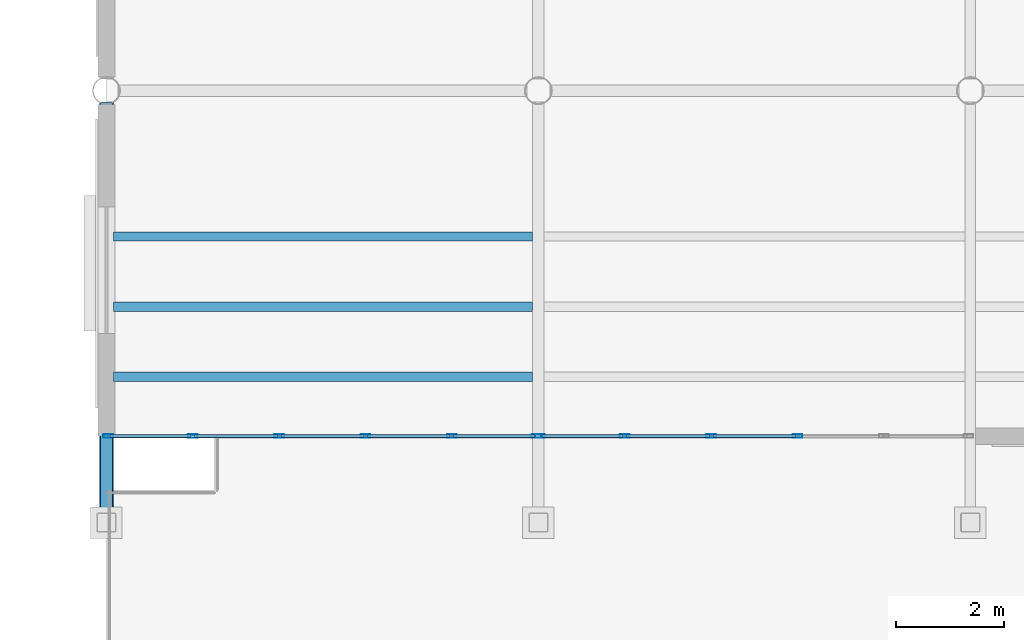
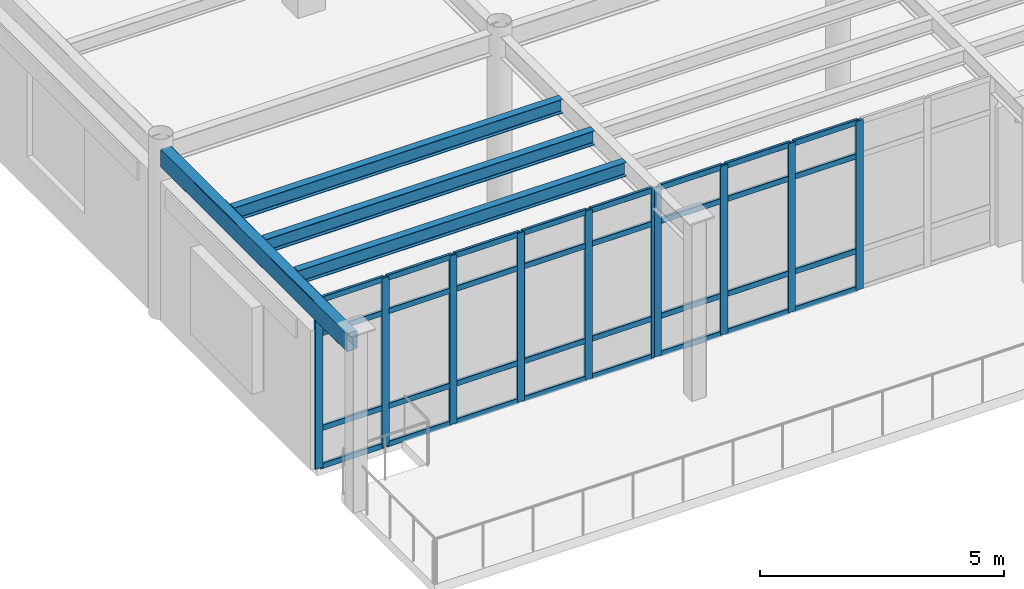
# One storey, part 36 of 111: 42 members, 4 beams, 2 elements without a shape of their own.
"""IFC4 building model written with IfcOpenShell, lengths in metres."""

from ifc_helpers import new_model, si_unit, direction, frame, origin, origin_2d, place, context, subcontext, project, spatial, hollow_rectangle, i_section, extrude, material, material_profile, profile_set, type_object, element, aggregate, save


model = new_model("IFC4")

# Units and contexts
model_context = context("Model", 3, precision=1e-05, world=origin(), true_north=direction((0.0, 1.0)))
body_context = subcontext(model_context, "Body", "Model", "MODEL_VIEW")
ifc_project = project(units=[si_unit("LENGTHUNIT", "METRE"), si_unit("AREAUNIT", "SQUARE_METRE"), si_unit("VOLUMEUNIT", "CUBIC_METRE"), si_unit("PLANEANGLEUNIT", "RADIAN"), si_unit("MASSUNIT", "GRAM", prefix="KILO")], contexts=[model_context])

# Site, building, storey
site_placement = place(None, origin())
site = spatial("IfcSite", under=ifc_project, at=site_placement, CompositionType="ELEMENT")
building_placement = place(site_placement, origin())
building = spatial("IfcBuilding", under=site, at=building_placement, Name="Solmirada Galleria", CompositionType="ELEMENT")
storey_placement = place(building_placement, frame((0.0, 0.0, 10.39990234375)))
storey = spatial("IfcBuildingStorey", under=building, at=storey_placement, Name="L02", CompositionType="ELEMENT", Elevation=10.39990234375)

# Beams
ifc_material_1 = material(Name="Steel S355 / ASTM A992 Grade 50", Category="steel")
ifc_material_profile_1 = material_profile(ifc_material_1, i_section(OverallWidth=0.172119140625, OverallDepth=0.35791015625, WebThickness=0.0078125, FlangeThickness=0.01318359375, FilletRadius=0.011962890625, at=origin_2d()), Name="W14X38")
ifc_profile_set_1 = profile_set([ifc_material_profile_1], Name="Steel S355 / ASTM A992 Grade 50")
beam_type_1 = type_object("IfcBeamType", Name="BM-JST-W14A", PredefinedType="JOIST", material=ifc_profile_set_1)
beam_1_placement = place(storey_placement, frame((40.126953125, 84.0, 4.0810546875), z_axis=(1.0, 0.0, 0.0), x_axis=(0.0, 1.0, 0.0)))
element("IfcBeam", 1, at=beam_1_placement, inside=storey, type_object=beam_type_1, Name="Composite floor joist L03 (40..48, 84.0)", PredefinedType="JOIST", context=body_context, shape_type="SweptSolid", body=[
    extrude(i_section(OverallWidth=0.172119140625, OverallDepth=0.35791015625, WebThickness=0.0078125, FlangeThickness=0.01318359375, FilletRadius=0.011962890625, at=origin_2d()), origin(), (0.0, 0.0, 1.0), 7.76806640625),
])
ifc_material_profile_2 = material_profile(ifc_material_1, i_section(OverallWidth=0.1708984375, OverallDepth=0.35205078125, WebThickness=0.0068359375, FlangeThickness=0.009765625, FilletRadius=0.010986328125, at=origin_2d()), Name="W14X30")
ifc_profile_set_2 = profile_set([ifc_material_profile_2], Name="Steel S355 / ASTM A992 Grade 50")
beam_type_2 = type_object("IfcBeamType", Name="BM-JST-W14B", PredefinedType="JOIST", material=ifc_profile_set_2)
for number, where, z_axis, x_axis, name in (
    (2, (40.126953125, 82.699951171875, 4.083984375), (1.0, 0.0, 0.0), (0.0, 1.0, 0.0), "Terrace deck joist L03-TERR-NW X=40..48 (1)"),
    (3, (40.126953125, 85.300048828125, 4.083984375), (1.0, 0.0, 0.0), (0.0, 1.0, 0.0), "Terrace deck joist L03-TERR-NW X=40..48 (2)"),
):
    element("IfcBeam", number, at=place(storey_placement, frame(where, z_axis=z_axis, x_axis=x_axis)), inside=storey, type_object=beam_type_2, Name=name, PredefinedType="JOIST", context=body_context, shape_type="SweptSolid", body=[
        extrude(i_section(OverallWidth=0.1708984375, OverallDepth=0.35205078125, WebThickness=0.0068359375, FlangeThickness=0.009765625, FilletRadius=0.010986328125, at=origin_2d()), origin(), (0.0, 0.0, 1.0), 7.76806640625),
    ])
ifc_material_2 = material(Name="Steel S355 / ASTM A500 Grade C", Category="steel")
ifc_material_profile_3 = material_profile(ifc_material_2, hollow_rectangle(XDim=0.25390625, YDim=0.45703125, WallThickness=0.01171875, InnerFilletRadius=0.01171875, OuterFilletRadius=0.023681640625, at=origin_2d()), Name="HSS18X10X1/2")
ifc_profile_set_3 = profile_set([ifc_material_profile_3], Name="Steel S355 / ASTM A500 Grade C")
beam_type_3 = type_object("IfcBeamType", Name="BM-SPAND-W18", PredefinedType="SPANDREL", material=ifc_profile_set_3)
beam_2_placement = place(storey_placement, frame((40.0, 80.177978515625, 4.031494140625), z_axis=(0.0, 1.0, 0.0), x_axis=(-1.0, 0.0, 0.0)))
element("IfcBeam", 4, at=beam_2_placement, inside=storey, type_object=beam_type_3, Name="Primary girder L03 Y(40, 80..88)", PredefinedType="SPANDREL", context=body_context, shape_type="SweptSolid", body=[
    extrude(hollow_rectangle(XDim=0.25390625, YDim=0.45703125, WallThickness=0.01171875, InnerFilletRadius=0.01171875, OuterFilletRadius=0.023681640625, at=origin_2d()), origin(), (0.0, 0.0, 1.0), 7.608642578125),
])

# Curtain wall, members
ifc_material_3 = material(Name="Impact-resistant low-E double glazing", Category="glass")
curtain_wall_type = type_object("IfcCurtainWallType", Name="CW-FZ4-L02-B5-L080", PredefinedType="NOTDEFINED", material=ifc_material_3)
curtain_wall_1_placement = place(storey_placement, origin())
curtain_wall_1 = element("IfcCurtainWall", 5, at=curtain_wall_1_placement, inside=storey, type_object=curtain_wall_type, Name="Terrace and arcade storefront CW-L02-091", PredefinedType="NOTDEFINED")
ifc_material_4 = material(Name="Anodised aluminium framing", Category="aluminium")
ifc_material_profile_4 = material_profile(ifc_material_4, hollow_rectangle(XDim=0.06494140625, YDim=0.179931640625, WallThickness=0.00390625, InnerFilletRadius=0.00390625, OuterFilletRadius=0.008056640625, at=origin_2d()), Name="ALU-MULL-180X65")
ifc_profile_set_4 = profile_set([ifc_material_profile_4], Name="Anodised aluminium framing")
member_type_1 = type_object("IfcMemberType", Name="CW-MULL-180", PredefinedType="MULLION", material=ifc_profile_set_4)
member_1_placement = place(storey_placement, frame((52.800048828125, 81.60009765625, 0.0), z_axis=(0.0, 0.0, 1.0), x_axis=(0.0, -1.0, 0.0)))
member_1 = element("IfcMember", 6, at=member_1_placement, type_object=member_type_1, Name="CW22 mullion 3", PredefinedType="MULLION", context=body_context, shape_type="SweptSolid", body=[
    extrude(hollow_rectangle(XDim=0.06494140625, YDim=0.179931640625, WallThickness=0.00390625, InnerFilletRadius=0.00390625, OuterFilletRadius=0.008056640625, at=origin_2d()), origin(), (0.0, 0.0, 1.0), 4.22021484375),
])
member_2_placement = place(storey_placement, frame((51.199951171875, 81.60009765625, 0.0), z_axis=(0.0, 0.0, 1.0), x_axis=(0.0, -1.0, 0.0)))
member_2 = element("IfcMember", 7, at=member_2_placement, type_object=member_type_1, Name="CW22 mullion 4", PredefinedType="MULLION", context=body_context, shape_type="SweptSolid", body=[
    extrude(hollow_rectangle(XDim=0.06494140625, YDim=0.179931640625, WallThickness=0.00390625, InnerFilletRadius=0.00390625, OuterFilletRadius=0.008056640625, at=origin_2d()), origin(), (0.0, 0.0, 1.0), 4.22021484375),
])
member_3_placement = place(storey_placement, frame((49.60009765625, 81.60009765625, 0.0), z_axis=(0.0, 0.0, 1.0), x_axis=(0.0, -1.0, 0.0)))
member_3 = element("IfcMember", 8, at=member_3_placement, type_object=member_type_1, Name="CW22 mullion 5", PredefinedType="MULLION", context=body_context, shape_type="SweptSolid", body=[
    extrude(hollow_rectangle(XDim=0.06494140625, YDim=0.179931640625, WallThickness=0.00390625, InnerFilletRadius=0.00390625, OuterFilletRadius=0.008056640625, at=origin_2d()), origin(), (0.0, 0.0, 1.0), 4.22021484375),
])
member_4_placement = place(storey_placement, frame((48.032470703125, 81.60009765625, 0.0), z_axis=(0.0, 0.0, 1.0), x_axis=(0.0, -1.0, 0.0)))
member_4 = element("IfcMember", 9, at=member_4_placement, type_object=member_type_1, Name="CW22 mullion 6", PredefinedType="MULLION", context=body_context, shape_type="SweptSolid", body=[
    extrude(hollow_rectangle(XDim=0.06494140625, YDim=0.179931640625, WallThickness=0.00390625, InnerFilletRadius=0.00390625, OuterFilletRadius=0.008056640625, at=origin_2d()), origin(), (0.0, 0.0, 1.0), 4.22021484375),
])

curtain_wall_2_placement = place(storey_placement, origin())
curtain_wall_2 = element("IfcCurtainWall", 10, at=curtain_wall_2_placement, inside=storey, type_object=curtain_wall_type, Name="Terrace and arcade storefront CW-L02-092", PredefinedType="NOTDEFINED")
member_5_placement = place(storey_placement, frame((47.967529296875, 81.60009765625, 0.0), z_axis=(0.0, 0.0, 1.0), x_axis=(0.0, -1.0, 0.0)))
member_5 = element("IfcMember", 11, at=member_5_placement, type_object=member_type_1, Name="CW22 mullion 1", PredefinedType="MULLION", context=body_context, shape_type="SweptSolid", body=[
    extrude(hollow_rectangle(XDim=0.06494140625, YDim=0.179931640625, WallThickness=0.00390625, InnerFilletRadius=0.00390625, OuterFilletRadius=0.008056640625, at=origin_2d()), origin(), (0.0, 0.0, 1.0), 4.22021484375),
])
member_6_placement = place(storey_placement, frame((46.39990234375, 81.60009765625, 0.0), z_axis=(0.0, 0.0, 1.0), x_axis=(0.0, -1.0, 0.0)))
member_6 = element("IfcMember", 12, at=member_6_placement, type_object=member_type_1, Name="CW22 mullion 2", PredefinedType="MULLION", context=body_context, shape_type="SweptSolid", body=[
    extrude(hollow_rectangle(XDim=0.06494140625, YDim=0.179931640625, WallThickness=0.00390625, InnerFilletRadius=0.00390625, OuterFilletRadius=0.008056640625, at=origin_2d()), origin(), (0.0, 0.0, 1.0), 4.22021484375),
])
member_7_placement = place(storey_placement, frame((44.800048828125, 81.60009765625, 0.0), z_axis=(0.0, 0.0, 1.0), x_axis=(0.0, -1.0, 0.0)))
member_7 = element("IfcMember", 13, at=member_7_placement, type_object=member_type_1, Name="CW22 mullion 3", PredefinedType="MULLION", context=body_context, shape_type="SweptSolid", body=[
    extrude(hollow_rectangle(XDim=0.06494140625, YDim=0.179931640625, WallThickness=0.00390625, InnerFilletRadius=0.00390625, OuterFilletRadius=0.008056640625, at=origin_2d()), origin(), (0.0, 0.0, 1.0), 4.22021484375),
])
member_8_placement = place(storey_placement, frame((43.199951171875, 81.60009765625, 0.0), z_axis=(0.0, 0.0, 1.0), x_axis=(0.0, -1.0, 0.0)))
member_8 = element("IfcMember", 14, at=member_8_placement, type_object=member_type_1, Name="CW22 mullion 4", PredefinedType="MULLION", context=body_context, shape_type="SweptSolid", body=[
    extrude(hollow_rectangle(XDim=0.06494140625, YDim=0.179931640625, WallThickness=0.00390625, InnerFilletRadius=0.00390625, OuterFilletRadius=0.008056640625, at=origin_2d()), origin(), (0.0, 0.0, 1.0), 4.22021484375),
])
member_9_placement = place(storey_placement, frame((41.60009765625, 81.60009765625, 0.0), z_axis=(0.0, 0.0, 1.0), x_axis=(0.0, -1.0, 0.0)))
member_9 = element("IfcMember", 15, at=member_9_placement, type_object=member_type_1, Name="CW22 mullion 5", PredefinedType="MULLION", context=body_context, shape_type="SweptSolid", body=[
    extrude(hollow_rectangle(XDim=0.06494140625, YDim=0.179931640625, WallThickness=0.00390625, InnerFilletRadius=0.00390625, OuterFilletRadius=0.008056640625, at=origin_2d()), origin(), (0.0, 0.0, 1.0), 4.22021484375),
])
member_10_placement = place(storey_placement, frame((40.032470703125, 81.60009765625, 0.0), z_axis=(0.0, 0.0, 1.0), x_axis=(0.0, -1.0, 0.0)))
member_10 = element("IfcMember", 16, at=member_10_placement, type_object=member_type_1, Name="CW22 mullion 6", PredefinedType="MULLION", context=body_context, shape_type="SweptSolid", body=[
    extrude(hollow_rectangle(XDim=0.06494140625, YDim=0.179931640625, WallThickness=0.00390625, InnerFilletRadius=0.00390625, OuterFilletRadius=0.008056640625, at=origin_2d()), origin(), (0.0, 0.0, 1.0), 4.22021484375),
])

# Member
ifc_material_profile_5 = material_profile(ifc_material_4, hollow_rectangle(XDim=0.06494140625, YDim=0.139892578125, WallThickness=0.00341796875, InnerFilletRadius=0.00341796875, OuterFilletRadius=0.007080078125, at=origin_2d()), Name="ALU-TRAN-140X65")
ifc_profile_set_5 = profile_set([ifc_material_profile_5], Name="Anodised aluminium framing")
member_type_2 = type_object("IfcMemberType", Name="CW-TRAN-140", PredefinedType="USERDEFINED", material=ifc_profile_set_5)
member_11_placement = place(storey_placement, frame((52.767578125, 81.60009765625, 0.03271484375), z_axis=(-1.0, 0.0, 0.0), x_axis=(0.0, -1.0, 0.0)))
member_11 = element("IfcMember", 17, at=member_11_placement, type_object=member_type_2, Name="CW22 transom 3.1", ObjectType="TRANSOM", PredefinedType="USERDEFINED", context=body_context, shape_type="SweptSolid", body=[
    extrude(hollow_rectangle(XDim=0.06494140625, YDim=0.139892578125, WallThickness=0.00341796875, InnerFilletRadius=0.00341796875, OuterFilletRadius=0.007080078125, at=origin_2d()), origin(), (0.0, 0.0, 1.0), 1.53515625),
])

member_12_placement = place(storey_placement, frame((52.767578125, 81.60009765625, 0.97998046875), z_axis=(-1.0, 0.0, 0.0), x_axis=(0.0, -1.0, 0.0)))
member_12 = element("IfcMember", 18, at=member_12_placement, type_object=member_type_2, Name="CW22 transom 3.2", ObjectType="TRANSOM", PredefinedType="USERDEFINED", context=body_context, shape_type="SweptSolid", body=[
    extrude(hollow_rectangle(XDim=0.06494140625, YDim=0.139892578125, WallThickness=0.00341796875, InnerFilletRadius=0.00341796875, OuterFilletRadius=0.007080078125, at=origin_2d()), origin(), (0.0, 0.0, 1.0), 1.53515625),
])

member_13_placement = place(storey_placement, frame((52.767578125, 81.60009765625, 3.35009765625), z_axis=(-1.0, 0.0, 0.0), x_axis=(0.0, -1.0, 0.0)))
member_13 = element("IfcMember", 19, at=member_13_placement, type_object=member_type_2, Name="CW22 transom 3.3", ObjectType="TRANSOM", PredefinedType="USERDEFINED", context=body_context, shape_type="SweptSolid", body=[
    extrude(hollow_rectangle(XDim=0.06494140625, YDim=0.139892578125, WallThickness=0.00341796875, InnerFilletRadius=0.00341796875, OuterFilletRadius=0.007080078125, at=origin_2d()), origin(), (0.0, 0.0, 1.0), 1.53515625),
])

member_14_placement = place(storey_placement, frame((52.767578125, 81.60009765625, 4.1875), z_axis=(-1.0, 0.0, 0.0), x_axis=(0.0, -1.0, 0.0)))
member_14 = element("IfcMember", 20, at=member_14_placement, type_object=member_type_2, Name="CW22 transom 3.4", ObjectType="TRANSOM", PredefinedType="USERDEFINED", context=body_context, shape_type="SweptSolid", body=[
    extrude(hollow_rectangle(XDim=0.06494140625, YDim=0.139892578125, WallThickness=0.00341796875, InnerFilletRadius=0.00341796875, OuterFilletRadius=0.007080078125, at=origin_2d()), origin(), (0.0, 0.0, 1.0), 1.53515625),
])

member_15_placement = place(storey_placement, frame((51.16748046875, 81.60009765625, 0.03271484375), z_axis=(-1.0, 0.0, 0.0), x_axis=(0.0, -1.0, 0.0)))
member_15 = element("IfcMember", 21, at=member_15_placement, type_object=member_type_2, Name="CW22 transom 4.1", ObjectType="TRANSOM", PredefinedType="USERDEFINED", context=body_context, shape_type="SweptSolid", body=[
    extrude(hollow_rectangle(XDim=0.06494140625, YDim=0.139892578125, WallThickness=0.00341796875, InnerFilletRadius=0.00341796875, OuterFilletRadius=0.007080078125, at=origin_2d()), origin(), (0.0, 0.0, 1.0), 1.534912109375),
])

member_16_placement = place(storey_placement, frame((51.16748046875, 81.60009765625, 0.97998046875), z_axis=(-1.0, 0.0, 0.0), x_axis=(0.0, -1.0, 0.0)))
member_16 = element("IfcMember", 22, at=member_16_placement, type_object=member_type_2, Name="CW22 transom 4.2", ObjectType="TRANSOM", PredefinedType="USERDEFINED", context=body_context, shape_type="SweptSolid", body=[
    extrude(hollow_rectangle(XDim=0.06494140625, YDim=0.139892578125, WallThickness=0.00341796875, InnerFilletRadius=0.00341796875, OuterFilletRadius=0.007080078125, at=origin_2d()), origin(), (0.0, 0.0, 1.0), 1.534912109375),
])

member_17_placement = place(storey_placement, frame((51.16748046875, 81.60009765625, 3.35009765625), z_axis=(-1.0, 0.0, 0.0), x_axis=(0.0, -1.0, 0.0)))
member_17 = element("IfcMember", 23, at=member_17_placement, type_object=member_type_2, Name="CW22 transom 4.3", ObjectType="TRANSOM", PredefinedType="USERDEFINED", context=body_context, shape_type="SweptSolid", body=[
    extrude(hollow_rectangle(XDim=0.06494140625, YDim=0.139892578125, WallThickness=0.00341796875, InnerFilletRadius=0.00341796875, OuterFilletRadius=0.007080078125, at=origin_2d()), origin(), (0.0, 0.0, 1.0), 1.534912109375),
])

member_18_placement = place(storey_placement, frame((51.16748046875, 81.60009765625, 4.1875), z_axis=(-1.0, 0.0, 0.0), x_axis=(0.0, -1.0, 0.0)))
member_18 = element("IfcMember", 24, at=member_18_placement, type_object=member_type_2, Name="CW22 transom 4.4", ObjectType="TRANSOM", PredefinedType="USERDEFINED", context=body_context, shape_type="SweptSolid", body=[
    extrude(hollow_rectangle(XDim=0.06494140625, YDim=0.139892578125, WallThickness=0.00341796875, InnerFilletRadius=0.00341796875, OuterFilletRadius=0.007080078125, at=origin_2d()), origin(), (0.0, 0.0, 1.0), 1.534912109375),
])

member_19_placement = place(storey_placement, frame((49.5673828125, 81.60009765625, 0.03271484375), z_axis=(-1.0, 0.0, 0.0), x_axis=(0.0, -1.0, 0.0)))
member_19 = element("IfcMember", 25, at=member_19_placement, type_object=member_type_2, Name="CW22 transom 5.1", ObjectType="TRANSOM", PredefinedType="USERDEFINED", context=body_context, shape_type="SweptSolid", body=[
    extrude(hollow_rectangle(XDim=0.06494140625, YDim=0.139892578125, WallThickness=0.00341796875, InnerFilletRadius=0.00341796875, OuterFilletRadius=0.007080078125, at=origin_2d()), origin(), (0.0, 0.0, 1.0), 1.50244140625),
])

member_20_placement = place(storey_placement, frame((49.5673828125, 81.60009765625, 0.97998046875), z_axis=(-1.0, 0.0, 0.0), x_axis=(0.0, -1.0, 0.0)))
member_20 = element("IfcMember", 26, at=member_20_placement, type_object=member_type_2, Name="CW22 transom 5.2", ObjectType="TRANSOM", PredefinedType="USERDEFINED", context=body_context, shape_type="SweptSolid", body=[
    extrude(hollow_rectangle(XDim=0.06494140625, YDim=0.139892578125, WallThickness=0.00341796875, InnerFilletRadius=0.00341796875, OuterFilletRadius=0.007080078125, at=origin_2d()), origin(), (0.0, 0.0, 1.0), 1.50244140625),
])

member_21_placement = place(storey_placement, frame((49.5673828125, 81.60009765625, 3.35009765625), z_axis=(-1.0, 0.0, 0.0), x_axis=(0.0, -1.0, 0.0)))
member_21 = element("IfcMember", 27, at=member_21_placement, type_object=member_type_2, Name="CW22 transom 5.3", ObjectType="TRANSOM", PredefinedType="USERDEFINED", context=body_context, shape_type="SweptSolid", body=[
    extrude(hollow_rectangle(XDim=0.06494140625, YDim=0.139892578125, WallThickness=0.00341796875, InnerFilletRadius=0.00341796875, OuterFilletRadius=0.007080078125, at=origin_2d()), origin(), (0.0, 0.0, 1.0), 1.50244140625),
])

member_22_placement = place(storey_placement, frame((49.5673828125, 81.60009765625, 4.1875), z_axis=(-1.0, 0.0, 0.0), x_axis=(0.0, -1.0, 0.0)))
member_22 = element("IfcMember", 28, at=member_22_placement, type_object=member_type_2, Name="CW22 transom 5.4", ObjectType="TRANSOM", PredefinedType="USERDEFINED", context=body_context, shape_type="SweptSolid", body=[
    extrude(hollow_rectangle(XDim=0.06494140625, YDim=0.139892578125, WallThickness=0.00341796875, InnerFilletRadius=0.00341796875, OuterFilletRadius=0.007080078125, at=origin_2d()), origin(), (0.0, 0.0, 1.0), 1.50244140625),
])

aggregate(curtain_wall_1, [member_1, member_2, member_3, member_4, member_11, member_12, member_13, member_14, member_15, member_16, member_17, member_18, member_19, member_20, member_21, member_22])

member_23_placement = place(storey_placement, frame((47.93505859375, 81.60009765625, 0.03271484375), z_axis=(-1.0, 0.0, 0.0), x_axis=(0.0, -1.0, 0.0)))
member_23 = element("IfcMember", 29, at=member_23_placement, type_object=member_type_2, Name="CW22 transom 1.1", ObjectType="TRANSOM", PredefinedType="USERDEFINED", context=body_context, shape_type="SweptSolid", body=[
    extrude(hollow_rectangle(XDim=0.06494140625, YDim=0.139892578125, WallThickness=0.00341796875, InnerFilletRadius=0.00341796875, OuterFilletRadius=0.007080078125, at=origin_2d()), origin(), (0.0, 0.0, 1.0), 1.50244140625),
])

member_24_placement = place(storey_placement, frame((47.93505859375, 81.60009765625, 0.97998046875), z_axis=(-1.0, 0.0, 0.0), x_axis=(0.0, -1.0, 0.0)))
member_24 = element("IfcMember", 30, at=member_24_placement, type_object=member_type_2, Name="CW22 transom 1.2", ObjectType="TRANSOM", PredefinedType="USERDEFINED", context=body_context, shape_type="SweptSolid", body=[
    extrude(hollow_rectangle(XDim=0.06494140625, YDim=0.139892578125, WallThickness=0.00341796875, InnerFilletRadius=0.00341796875, OuterFilletRadius=0.007080078125, at=origin_2d()), origin(), (0.0, 0.0, 1.0), 1.50244140625),
])

member_25_placement = place(storey_placement, frame((47.93505859375, 81.60009765625, 3.35009765625), z_axis=(-1.0, 0.0, 0.0), x_axis=(0.0, -1.0, 0.0)))
member_25 = element("IfcMember", 31, at=member_25_placement, type_object=member_type_2, Name="CW22 transom 1.3", ObjectType="TRANSOM", PredefinedType="USERDEFINED", context=body_context, shape_type="SweptSolid", body=[
    extrude(hollow_rectangle(XDim=0.06494140625, YDim=0.139892578125, WallThickness=0.00341796875, InnerFilletRadius=0.00341796875, OuterFilletRadius=0.007080078125, at=origin_2d()), origin(), (0.0, 0.0, 1.0), 1.50244140625),
])

member_26_placement = place(storey_placement, frame((47.93505859375, 81.60009765625, 4.1875), z_axis=(-1.0, 0.0, 0.0), x_axis=(0.0, -1.0, 0.0)))
member_26 = element("IfcMember", 32, at=member_26_placement, type_object=member_type_2, Name="CW22 transom 1.4", ObjectType="TRANSOM", PredefinedType="USERDEFINED", context=body_context, shape_type="SweptSolid", body=[
    extrude(hollow_rectangle(XDim=0.06494140625, YDim=0.139892578125, WallThickness=0.00341796875, InnerFilletRadius=0.00341796875, OuterFilletRadius=0.007080078125, at=origin_2d()), origin(), (0.0, 0.0, 1.0), 1.50244140625),
])

member_27_placement = place(storey_placement, frame((46.367431640625, 81.60009765625, 0.03271484375), z_axis=(-1.0, 0.0, 0.0), x_axis=(0.0, -1.0, 0.0)))
member_27 = element("IfcMember", 33, at=member_27_placement, type_object=member_type_2, Name="CW22 transom 2.1", ObjectType="TRANSOM", PredefinedType="USERDEFINED", context=body_context, shape_type="SweptSolid", body=[
    extrude(hollow_rectangle(XDim=0.06494140625, YDim=0.139892578125, WallThickness=0.00341796875, InnerFilletRadius=0.00341796875, OuterFilletRadius=0.007080078125, at=origin_2d()), origin(), (0.0, 0.0, 1.0), 1.534912109375),
])

member_28_placement = place(storey_placement, frame((46.367431640625, 81.60009765625, 0.97998046875), z_axis=(-1.0, 0.0, 0.0), x_axis=(0.0, -1.0, 0.0)))
member_28 = element("IfcMember", 34, at=member_28_placement, type_object=member_type_2, Name="CW22 transom 2.2", ObjectType="TRANSOM", PredefinedType="USERDEFINED", context=body_context, shape_type="SweptSolid", body=[
    extrude(hollow_rectangle(XDim=0.06494140625, YDim=0.139892578125, WallThickness=0.00341796875, InnerFilletRadius=0.00341796875, OuterFilletRadius=0.007080078125, at=origin_2d()), origin(), (0.0, 0.0, 1.0), 1.534912109375),
])

member_29_placement = place(storey_placement, frame((46.367431640625, 81.60009765625, 3.35009765625), z_axis=(-1.0, 0.0, 0.0), x_axis=(0.0, -1.0, 0.0)))
member_29 = element("IfcMember", 35, at=member_29_placement, type_object=member_type_2, Name="CW22 transom 2.3", ObjectType="TRANSOM", PredefinedType="USERDEFINED", context=body_context, shape_type="SweptSolid", body=[
    extrude(hollow_rectangle(XDim=0.06494140625, YDim=0.139892578125, WallThickness=0.00341796875, InnerFilletRadius=0.00341796875, OuterFilletRadius=0.007080078125, at=origin_2d()), origin(), (0.0, 0.0, 1.0), 1.534912109375),
])

member_30_placement = place(storey_placement, frame((46.367431640625, 81.60009765625, 4.1875), z_axis=(-1.0, 0.0, 0.0), x_axis=(0.0, -1.0, 0.0)))
member_30 = element("IfcMember", 36, at=member_30_placement, type_object=member_type_2, Name="CW22 transom 2.4", ObjectType="TRANSOM", PredefinedType="USERDEFINED", context=body_context, shape_type="SweptSolid", body=[
    extrude(hollow_rectangle(XDim=0.06494140625, YDim=0.139892578125, WallThickness=0.00341796875, InnerFilletRadius=0.00341796875, OuterFilletRadius=0.007080078125, at=origin_2d()), origin(), (0.0, 0.0, 1.0), 1.534912109375),
])

member_31_placement = place(storey_placement, frame((44.767578125, 81.60009765625, 0.03271484375), z_axis=(-1.0, 0.0, 0.0), x_axis=(0.0, -1.0, 0.0)))
member_31 = element("IfcMember", 37, at=member_31_placement, type_object=member_type_2, Name="CW22 transom 3.1", ObjectType="TRANSOM", PredefinedType="USERDEFINED", context=body_context, shape_type="SweptSolid", body=[
    extrude(hollow_rectangle(XDim=0.06494140625, YDim=0.139892578125, WallThickness=0.00341796875, InnerFilletRadius=0.00341796875, OuterFilletRadius=0.007080078125, at=origin_2d()), origin(), (0.0, 0.0, 1.0), 1.53515625),
])

member_32_placement = place(storey_placement, frame((44.767578125, 81.60009765625, 0.97998046875), z_axis=(-1.0, 0.0, 0.0), x_axis=(0.0, -1.0, 0.0)))
member_32 = element("IfcMember", 38, at=member_32_placement, type_object=member_type_2, Name="CW22 transom 3.2", ObjectType="TRANSOM", PredefinedType="USERDEFINED", context=body_context, shape_type="SweptSolid", body=[
    extrude(hollow_rectangle(XDim=0.06494140625, YDim=0.139892578125, WallThickness=0.00341796875, InnerFilletRadius=0.00341796875, OuterFilletRadius=0.007080078125, at=origin_2d()), origin(), (0.0, 0.0, 1.0), 1.53515625),
])

member_33_placement = place(storey_placement, frame((44.767578125, 81.60009765625, 3.35009765625), z_axis=(-1.0, 0.0, 0.0), x_axis=(0.0, -1.0, 0.0)))
member_33 = element("IfcMember", 39, at=member_33_placement, type_object=member_type_2, Name="CW22 transom 3.3", ObjectType="TRANSOM", PredefinedType="USERDEFINED", context=body_context, shape_type="SweptSolid", body=[
    extrude(hollow_rectangle(XDim=0.06494140625, YDim=0.139892578125, WallThickness=0.00341796875, InnerFilletRadius=0.00341796875, OuterFilletRadius=0.007080078125, at=origin_2d()), origin(), (0.0, 0.0, 1.0), 1.53515625),
])

member_34_placement = place(storey_placement, frame((44.767578125, 81.60009765625, 4.1875), z_axis=(-1.0, 0.0, 0.0), x_axis=(0.0, -1.0, 0.0)))
member_34 = element("IfcMember", 40, at=member_34_placement, type_object=member_type_2, Name="CW22 transom 3.4", ObjectType="TRANSOM", PredefinedType="USERDEFINED", context=body_context, shape_type="SweptSolid", body=[
    extrude(hollow_rectangle(XDim=0.06494140625, YDim=0.139892578125, WallThickness=0.00341796875, InnerFilletRadius=0.00341796875, OuterFilletRadius=0.007080078125, at=origin_2d()), origin(), (0.0, 0.0, 1.0), 1.53515625),
])

member_35_placement = place(storey_placement, frame((43.16748046875, 81.60009765625, 0.03271484375), z_axis=(-1.0, 0.0, 0.0), x_axis=(0.0, -1.0, 0.0)))
member_35 = element("IfcMember", 41, at=member_35_placement, type_object=member_type_2, Name="CW22 transom 4.1", ObjectType="TRANSOM", PredefinedType="USERDEFINED", context=body_context, shape_type="SweptSolid", body=[
    extrude(hollow_rectangle(XDim=0.06494140625, YDim=0.139892578125, WallThickness=0.00341796875, InnerFilletRadius=0.00341796875, OuterFilletRadius=0.007080078125, at=origin_2d()), origin(), (0.0, 0.0, 1.0), 1.534912109375),
])

member_36_placement = place(storey_placement, frame((43.16748046875, 81.60009765625, 0.97998046875), z_axis=(-1.0, 0.0, 0.0), x_axis=(0.0, -1.0, 0.0)))
member_36 = element("IfcMember", 42, at=member_36_placement, type_object=member_type_2, Name="CW22 transom 4.2", ObjectType="TRANSOM", PredefinedType="USERDEFINED", context=body_context, shape_type="SweptSolid", body=[
    extrude(hollow_rectangle(XDim=0.06494140625, YDim=0.139892578125, WallThickness=0.00341796875, InnerFilletRadius=0.00341796875, OuterFilletRadius=0.007080078125, at=origin_2d()), origin(), (0.0, 0.0, 1.0), 1.534912109375),
])

member_37_placement = place(storey_placement, frame((43.16748046875, 81.60009765625, 3.35009765625), z_axis=(-1.0, 0.0, 0.0), x_axis=(0.0, -1.0, 0.0)))
member_37 = element("IfcMember", 43, at=member_37_placement, type_object=member_type_2, Name="CW22 transom 4.3", ObjectType="TRANSOM", PredefinedType="USERDEFINED", context=body_context, shape_type="SweptSolid", body=[
    extrude(hollow_rectangle(XDim=0.06494140625, YDim=0.139892578125, WallThickness=0.00341796875, InnerFilletRadius=0.00341796875, OuterFilletRadius=0.007080078125, at=origin_2d()), origin(), (0.0, 0.0, 1.0), 1.534912109375),
])

member_38_placement = place(storey_placement, frame((43.16748046875, 81.60009765625, 4.1875), z_axis=(-1.0, 0.0, 0.0), x_axis=(0.0, -1.0, 0.0)))
member_38 = element("IfcMember", 44, at=member_38_placement, type_object=member_type_2, Name="CW22 transom 4.4", ObjectType="TRANSOM", PredefinedType="USERDEFINED", context=body_context, shape_type="SweptSolid", body=[
    extrude(hollow_rectangle(XDim=0.06494140625, YDim=0.139892578125, WallThickness=0.00341796875, InnerFilletRadius=0.00341796875, OuterFilletRadius=0.007080078125, at=origin_2d()), origin(), (0.0, 0.0, 1.0), 1.534912109375),
])

member_39_placement = place(storey_placement, frame((41.5673828125, 81.60009765625, 0.03271484375), z_axis=(-1.0, 0.0, 0.0), x_axis=(0.0, -1.0, 0.0)))
member_39 = element("IfcMember", 45, at=member_39_placement, type_object=member_type_2, Name="CW22 transom 5.1", ObjectType="TRANSOM", PredefinedType="USERDEFINED", context=body_context, shape_type="SweptSolid", body=[
    extrude(hollow_rectangle(XDim=0.06494140625, YDim=0.139892578125, WallThickness=0.00341796875, InnerFilletRadius=0.00341796875, OuterFilletRadius=0.007080078125, at=origin_2d()), origin(), (0.0, 0.0, 1.0), 1.50244140625),
])

member_40_placement = place(storey_placement, frame((41.5673828125, 81.60009765625, 0.97998046875), z_axis=(-1.0, 0.0, 0.0), x_axis=(0.0, -1.0, 0.0)))
member_40 = element("IfcMember", 46, at=member_40_placement, type_object=member_type_2, Name="CW22 transom 5.2", ObjectType="TRANSOM", PredefinedType="USERDEFINED", context=body_context, shape_type="SweptSolid", body=[
    extrude(hollow_rectangle(XDim=0.06494140625, YDim=0.139892578125, WallThickness=0.00341796875, InnerFilletRadius=0.00341796875, OuterFilletRadius=0.007080078125, at=origin_2d()), origin(), (0.0, 0.0, 1.0), 1.50244140625),
])

member_41_placement = place(storey_placement, frame((41.5673828125, 81.60009765625, 3.35009765625), z_axis=(-1.0, 0.0, 0.0), x_axis=(0.0, -1.0, 0.0)))
member_41 = element("IfcMember", 47, at=member_41_placement, type_object=member_type_2, Name="CW22 transom 5.3", ObjectType="TRANSOM", PredefinedType="USERDEFINED", context=body_context, shape_type="SweptSolid", body=[
    extrude(hollow_rectangle(XDim=0.06494140625, YDim=0.139892578125, WallThickness=0.00341796875, InnerFilletRadius=0.00341796875, OuterFilletRadius=0.007080078125, at=origin_2d()), origin(), (0.0, 0.0, 1.0), 1.50244140625),
])

member_42_placement = place(storey_placement, frame((41.5673828125, 81.60009765625, 4.1875), z_axis=(-1.0, 0.0, 0.0), x_axis=(0.0, -1.0, 0.0)))
member_42 = element("IfcMember", 48, at=member_42_placement, type_object=member_type_2, Name="CW22 transom 5.4", ObjectType="TRANSOM", PredefinedType="USERDEFINED", context=body_context, shape_type="SweptSolid", body=[
    extrude(hollow_rectangle(XDim=0.06494140625, YDim=0.139892578125, WallThickness=0.00341796875, InnerFilletRadius=0.00341796875, OuterFilletRadius=0.007080078125, at=origin_2d()), origin(), (0.0, 0.0, 1.0), 1.50244140625),
])

aggregate(curtain_wall_2, [member_5, member_6, member_7, member_8, member_9, member_10, member_23, member_24, member_25, member_26, member_27, member_28, member_29, member_30, member_31, member_32, member_33, member_34, member_35, member_36, member_37, member_38, member_39, member_40, member_41, member_42])

save(model, "model.ifc")
